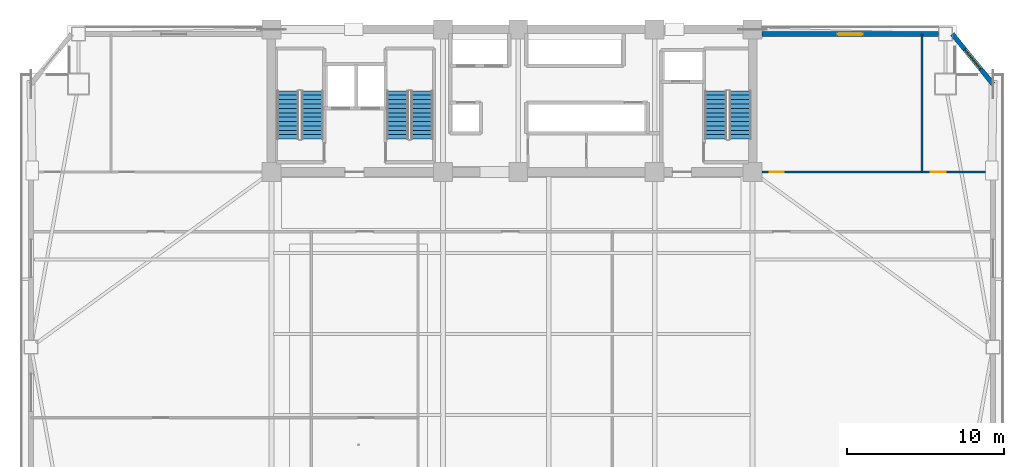
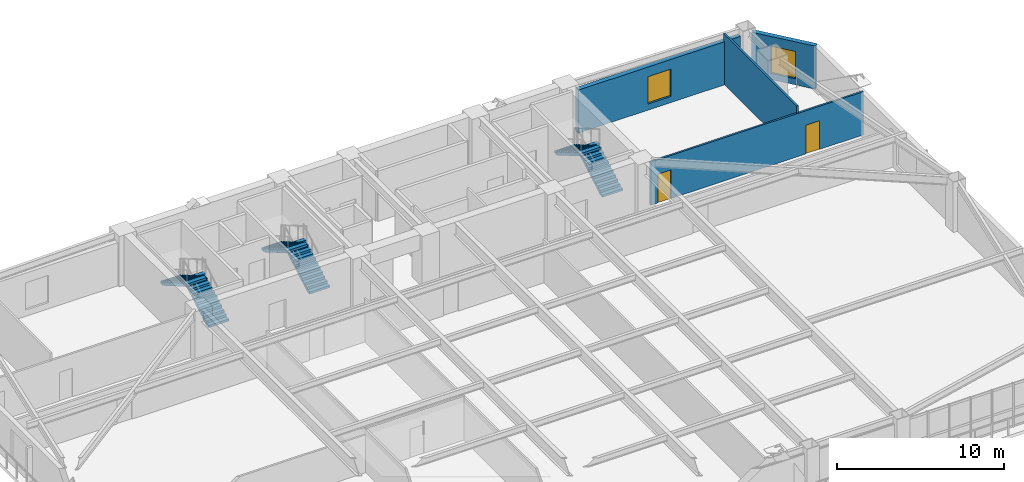
# One storey, part 10 of 15: 6 stair flights, 4 walls, 2 doors, 2 windows, 4 openings, 3 elements without a shape of their own.
"""IFC4 building model written with IfcOpenShell, lengths in metres."""

from ifc_helpers import new_model, si_unit, direction, frame, frame_2d, origin, place, context, subcontext, project, spatial, polyline, rectangle, outline, extrude, source, transform, mapped, material, layer, layer_set, type_object, element, fill, aggregate, save


model = new_model("IFC4")

# Units and contexts
model_context = context("Model", 3, precision=1e-05, world=origin(), true_north=direction((0.0, 1.0)))
body_context = subcontext(model_context, "Body", "Model", "MODEL_VIEW")
ifc_project = project(units=[si_unit("LENGTHUNIT", "METRE"), si_unit("AREAUNIT", "SQUARE_METRE"), si_unit("VOLUMEUNIT", "CUBIC_METRE"), si_unit("PLANEANGLEUNIT", "RADIAN"), si_unit("MASSUNIT", "GRAM", prefix="KILO")], contexts=[model_context])

# Site, building, storey
site_placement = place(None, origin())
site = spatial("IfcSite", under=ifc_project, at=site_placement, CompositionType="ELEMENT")
building_placement = place(site_placement, origin())
building = spatial("IfcBuilding", under=site, at=building_placement, Name="Giltprow Tower", CompositionType="ELEMENT")
storey_placement = place(building_placement, frame((0.0, 0.0, 99.699951171875)))
storey = spatial("IfcBuildingStorey", under=building, at=storey_placement, Name="L24", CompositionType="ELEMENT", Elevation=99.699951171875)

# Wall, opening, window
ifc_material_1 = material(Name="Precast concrete C40", Category="concrete")
ifc_layer_1 = layer(ifc_material_1, 0.300048828125, Name="Precast concrete C40")
ifc_layer_set_1 = layer_set([ifc_layer_1], Name="Precast concrete C40")
wall_type_1 = type_object("IfcWallType", Name="EW-NOTCH-CHAMFER-300", PredefinedType="SOLIDWALL", material=ifc_layer_set_1)
wall_1_placement = place(storey_placement, frame((65.89111328125, 43.055908203125, 0.0), z_axis=(0.0, 0.0, 1.0), x_axis=(-0.630273101398, 0.776373503962, 0.0)))
wall_1 = element("IfcWall", 1, at=wall_1_placement, inside=storey, type_object=wall_type_1, Name="L24 Corner Notch Wall NE", PredefinedType="SOLIDWALL", context=body_context, shape_type="SweptSolid", body=[
    extrude(rectangle(XDim=4.114013671875, YDim=0.300048828125, at=frame_2d((2.05712890625, 0.0))), origin(), (0.0, 0.0, 1.0), 3.16015625),
])
opening_1_placement = place(wall_1_placement, frame((1.257080078125, 0.0, 0.449951171875)))
opening_1 = element("IfcOpeningElement", 2, at=opening_1_placement, cuts=wall_1, Name="Opening WN17", PredefinedType="OPENING", context=body_context, shape_type="SweptSolid", body=[
    extrude(rectangle(XDim=1.60009765625, YDim=2.0, at=frame_2d((0.800048828125, 1.0))), frame((0.0, 0.159912109375, 0.0), z_axis=(0.0, -1.0, 0.0), x_axis=(1.0, 0.0, 0.0)), (0.0, 0.0, 1.0), 0.320068359375),
])
ifc_material_2 = material(Name="Insulated glass", Category="glass")
window_type = type_object("IfcWindowType", Name="WN-COR-1600x2000", PartitioningType="SINGLE_PANEL", PredefinedType="WINDOW", material=ifc_material_2)
shared_shape_1 = source(origin(), body_context, "Body", "SweptSolid", [
    extrude(rectangle(XDim=1.60009765625, YDim=2.0, at=frame_2d((0.800048828125, 1.0))), frame((0.0, 0.030029296875, 0.0), z_axis=(0.0, -1.0, 0.0), x_axis=(1.0, 0.0, 0.0)), (0.0, 0.0, 1.0), 0.06005859375),
])
window_1_placement = place(opening_1_placement, origin())
window_1 = element("IfcWindow", 3, at=window_1_placement, inside=storey, type_object=window_type, Name="L24 Corner Notch Window NE", OverallHeight=2.0, OverallWidth=1.60009765625, PartitioningType="SINGLE_PANEL", PredefinedType="WINDOW", context=body_context, shape_type="MappedRepresentation", body=[
    mapped(shared_shape_1, transform((0.0, 0.0, 0.0), x_axis=(1.0, 0.0, 0.0), y_axis=(0.0, 1.0, 0.0), z_axis=(0.0, 0.0, 1.0), scale=1.0)),
])
fill(opening_1, window_1)

ifc_layer_2 = layer(ifc_material_1, 0.320068359375, Name="Precast concrete C40")
ifc_layer_set_2 = layer_set([ifc_layer_2], Name="Precast concrete C40")
wall_type_2 = type_object("IfcWallType", Name="EW-TOW-STONE-320", PredefinedType="SOLIDWALL", material=ifc_layer_set_2)
wall_2_placement = place(storey_placement, frame((51.14990234375, 46.25, 0.0), z_axis=(0.0, 0.0, 1.0), x_axis=(1.0, 0.0, 0.0)))
wall_2 = element("IfcWall", 4, at=wall_2_placement, inside=storey, type_object=wall_type_2, Name="L24 North-East Wing Wall", PredefinedType="SOLIDWALL", context=body_context, shape_type="SweptSolid", body=[
    extrude(rectangle(XDim=11.248046875, YDim=0.320068359375, at=frame_2d((5.6240234375, 0.0))), origin(), (0.0, 0.0, 1.0), 3.16015625),
])
opening_2_placement = place(wall_2_placement, frame((4.823974609375, 0.0, 0.449951171875)))
opening_2 = element("IfcOpeningElement", 5, at=opening_2_placement, cuts=wall_2, Name="Opening WN17", PredefinedType="OPENING", context=body_context, shape_type="SweptSolid", body=[
    extrude(rectangle(XDim=1.60009765625, YDim=2.0, at=frame_2d((0.800048828125, 1.0))), frame((0.0, 0.169921875, 0.0), z_axis=(0.0, -1.0, 0.0), x_axis=(1.0, 0.0, 0.0)), (0.0, 0.0, 1.0), 0.340087890625),
])
window_2_placement = place(opening_2_placement, origin())
window_2 = element("IfcWindow", 6, at=window_2_placement, inside=storey, type_object=window_type, Name="L24 North-East Window", OverallHeight=2.0, OverallWidth=1.60009765625, PartitioningType="SINGLE_PANEL", PredefinedType="WINDOW", context=body_context, shape_type="MappedRepresentation", body=[
    mapped(shared_shape_1, transform((0.0, 0.0, 0.0), x_axis=(1.0, 0.0, 0.0), y_axis=(0.0, 1.0, 0.0), z_axis=(0.0, 0.0, 1.0), scale=1.0)),
])
fill(opening_2, window_2)

# Wall, openings, doors
ifc_material_3 = material(Name="Concrete C30", Category="concrete")
ifc_layer_3 = layer(ifc_material_3, 0.1298828125, Name="Concrete C30")
ifc_layer_set_3 = layer_set([ifc_layer_3], Name="Concrete C30")
wall_type_3 = type_object("IfcWallType", Name="IW-WET-130", PredefinedType="PARTITIONING", material=ifc_layer_set_3)
wall_3_placement = place(storey_placement, frame((51.14990234375, 37.449951171875, 0.0), z_axis=(0.0, 0.0, 1.0), x_axis=(1.0, 0.0, 0.0)))
wall_3 = element("IfcWall", 7, at=wall_3_placement, inside=storey, type_object=wall_type_3, Name="L24 NE Wing South Wall", PredefinedType="PARTITIONING", context=body_context, shape_type="SweptSolid", body=[
    extrude(rectangle(XDim=14.7412109375, YDim=0.1298828125, at=frame_2d((7.37060546875, 0.0))), origin(), (0.0, 0.0, 1.0), 3.1650390625),
])
opening_3_placement = place(wall_3_placement, frame((0.5, 0.0, 0.0)))
opening_3 = element("IfcOpeningElement", 8, at=opening_3_placement, cuts=wall_3, Name="Opening ID15", PredefinedType="OPENING", context=body_context, shape_type="SweptSolid", body=[
    extrude(rectangle(XDim=0.89990234375, YDim=2.10009765625, at=frame_2d((0.449951171875, 1.050048828125))), frame((0.0, 0.074951171875, 0.0), z_axis=(0.0, -1.0, 0.0), x_axis=(1.0, 0.0, 0.0)), (0.0, 0.0, 1.0), 0.14990234375),
])
opening_4_placement = place(wall_3_placement, frame((10.759033203125, 0.0, 0.0)))
opening_4 = element("IfcOpeningElement", 9, at=opening_4_placement, cuts=wall_3, Name="Opening ID11", PredefinedType="OPENING", context=body_context, shape_type="SweptSolid", body=[
    extrude(rectangle(XDim=0.949951171875, YDim=2.10009765625, at=frame_2d((0.47509765625, 1.050048828125))), frame((0.0, 0.074951171875, 0.0), z_axis=(0.0, -1.0, 0.0), x_axis=(1.0, 0.0, 0.0)), (0.0, 0.0, 1.0), 0.14990234375),
])
ifc_material_4 = material(Name="Engineered timber", Category="wood")
door_type_1 = type_object("IfcDoorType", Name="DR-WC-900", OperationType="SINGLE_SWING_LEFT", PredefinedType="DOOR", material=ifc_material_4)
shared_shape_2 = source(origin(), body_context, "Body", "SweptSolid", [
    extrude(rectangle(XDim=0.89990234375, YDim=2.10009765625, at=frame_2d((0.449951171875, 1.050048828125))), frame((0.0, 0.02490234375, 0.0), z_axis=(0.0, -1.0, 0.0), x_axis=(1.0, 0.0, 0.0)), (0.0, 0.0, 1.0), 0.050048828125),
])
door_1_placement = place(opening_3_placement, origin())
door_1 = element("IfcDoor", 10, at=door_1_placement, inside=storey, type_object=door_type_1, Name="L24 East Wing Washroom Door", OperationType="SINGLE_SWING_RIGHT", OverallHeight=2.10009765625, OverallWidth=0.89990234375, PredefinedType="DOOR", context=body_context, shape_type="MappedRepresentation", body=[
    mapped(shared_shape_2, transform((0.0, 0.0, 0.0), x_axis=(1.0, 0.0, 0.0), y_axis=(0.0, 1.0, 0.0), z_axis=(0.0, 0.0, 1.0), scale=1.0)),
])
fill(opening_3, door_1)
door_type_2 = type_object("IfcDoorType", Name="DR-ROOM-950", OperationType="SINGLE_SWING_RIGHT", PredefinedType="DOOR", material=ifc_material_4)
shared_shape_3 = source(origin(), body_context, "Body", "SweptSolid", [
    extrude(rectangle(XDim=0.949951171875, YDim=2.10009765625, at=frame_2d((0.47509765625, 1.050048828125))), frame((0.0, 0.02490234375, 0.0), z_axis=(0.0, -1.0, 0.0), x_axis=(1.0, 0.0, 0.0)), (0.0, 0.0, 1.0), 0.050048828125),
])
door_2_placement = place(opening_4_placement, origin())
door_2 = element("IfcDoor", 11, at=door_2_placement, inside=storey, type_object=door_type_2, Name="L24 East Tenant Archive Store Door", OperationType="SINGLE_SWING_LEFT", OverallHeight=2.10009765625, OverallWidth=0.949951171875, PredefinedType="DOOR", context=body_context, shape_type="MappedRepresentation", body=[
    mapped(shared_shape_3, transform((0.0, 0.0, 0.0), x_axis=(1.0, 0.0, 0.0), y_axis=(0.0, 1.0, 0.0), z_axis=(0.0, 0.0, 1.0), scale=1.0)),
])
fill(opening_4, door_2)

# Wall
wall_4_placement = place(storey_placement, frame((61.35888671875, 37.449951171875, 0.0), z_axis=(0.0, 0.0, 1.0), x_axis=(0.0, 1.0, 0.0)))
element("IfcWall", 12, at=wall_4_placement, inside=storey, type_object=wall_type_3, Name="L24 NE Wing Divider", PredefinedType="PARTITIONING", context=body_context, shape_type="SweptSolid", body=[
    extrude(rectangle(XDim=8.800048828125, YDim=0.1298828125, at=frame_2d((4.39990234375, 0.0))), origin(), (0.0, 0.0, 1.0), 3.679931640625),
])

# Stair, stair flights
ifc_material_5 = material(Name="Concrete C40", Category="concrete")
stair_type_1 = type_object("IfcStairType", Name="STR-ST-1", PredefinedType="HALF_TURN_STAIR", material=ifc_material_5)
stair_1_placement = place(storey_placement, origin())
stair_1 = element("IfcStair", 13, at=stair_1_placement, inside=storey, type_object=stair_type_1, Name="L24 Core Exit Stair ST-1", PredefinedType="HALF_TURN_STAIR")
stair_flight_type_1 = type_object("IfcStairFlightType", Name="SFL-ST-1", PredefinedType="STRAIGHT", material=ifc_material_5)
stair_flight_1_placement = place(storey_placement, frame((22.4599609375, 39.550048828125, 0.0), z_axis=(0.0, 0.0, 1.0), x_axis=(0.0, 1.0, 0.0)))
stair_flight_1 = element("IfcStairFlight", 14, at=stair_flight_1_placement, type_object=stair_flight_type_1, Name="ST-1 flight 1", NumberOfRisers=12, NumberOfTreads=11, PredefinedType="STRAIGHT", RiserHeight=0.1625, TreadLength=0.28, context=body_context, shape_type="SweptSolid", body=[
    extrude(outline(polyline([(0.0, 0.0), (0.0, 0.16259765625), (0.280029296875, 0.16259765625), (0.280029296875, 0.324951171875), (0.56005859375, 0.324951171875), (0.56005859375, 0.487548828125), (0.840087890625, 0.487548828125), (0.840087890625, 0.64990234375), (1.1201171875, 0.64990234375), (1.1201171875, 0.8125), (1.39990234375, 0.8125), (1.39990234375, 0.97509765625), (1.679931640625, 0.97509765625), (1.679931640625, 1.137451171875), (1.9599609375, 1.137451171875), (1.9599609375, 1.300048828125), (2.239990234375, 1.300048828125), (2.239990234375, 1.46240234375), (2.52001953125, 1.46240234375), (2.52001953125, 1.625), (2.800048828125, 1.625), (2.800048828125, 1.78759765625), (3.080078125, 1.78759765625), (3.080078125, 1.949951171875), (3.080078125, 1.6142578125), (0.298583984375, 0.0), (0.0, 0.0)])), frame((0.0, 0.699951171875, 0.0), z_axis=(0.0, -1.0, 0.0), x_axis=(1.0, 0.0, 0.0)), (0.0, 0.0, 1.0), 1.39990234375),
])
stair_flight_2_placement = place(storey_placement, frame((20.89990234375, 42.6298828125, 1.949951171875), z_axis=(0.0, 0.0, 1.0), x_axis=(0.0, -1.0, 0.0)))
stair_flight_2 = element("IfcStairFlight", 15, at=stair_flight_2_placement, type_object=stair_flight_type_1, Name="ST-1 flight 2", NumberOfRisers=12, NumberOfTreads=11, PredefinedType="STRAIGHT", RiserHeight=0.1625, TreadLength=0.28, context=body_context, shape_type="SweptSolid", body=[
    extrude(outline(polyline([(0.0, 0.0), (0.0, 0.16259765625), (0.280029296875, 0.16259765625), (0.280029296875, 0.324951171875), (0.56005859375, 0.324951171875), (0.56005859375, 0.487548828125), (0.840087890625, 0.487548828125), (0.840087890625, 0.64990234375), (1.1201171875, 0.64990234375), (1.1201171875, 0.8125), (1.39990234375, 0.8125), (1.39990234375, 0.97509765625), (1.679931640625, 0.97509765625), (1.679931640625, 1.137451171875), (1.9599609375, 1.137451171875), (1.9599609375, 1.300048828125), (2.239990234375, 1.300048828125), (2.239990234375, 1.46240234375), (2.52001953125, 1.46240234375), (2.52001953125, 1.625), (2.800048828125, 1.625), (2.800048828125, 1.78759765625), (3.080078125, 1.78759765625), (3.080078125, 1.949951171875), (3.080078125, 1.6142578125), (0.298583984375, 0.0), (0.0, 0.0)])), frame((0.0, 0.699951171875, 0.0), z_axis=(0.0, -1.0, 0.0), x_axis=(1.0, 0.0, 0.0)), (0.0, 0.0, 1.0), 1.39990234375),
])
aggregate(stair_1, [stair_flight_1, stair_flight_2])

stair_type_2 = type_object("IfcStairType", Name="STR-ST-2", PredefinedType="HALF_TURN_STAIR", material=ifc_material_5)
stair_2_placement = place(storey_placement, origin())
stair_2 = element("IfcStair", 16, at=stair_2_placement, inside=storey, type_object=stair_type_2, Name="L24 Core Exit Stair ST-2", PredefinedType="HALF_TURN_STAIR")
stair_flight_type_2 = type_object("IfcStairFlightType", Name="SFL-ST-2", PredefinedType="STRAIGHT", material=ifc_material_5)
stair_flight_3_placement = place(storey_placement, frame((29.4599609375, 39.550048828125, 0.0), z_axis=(0.0, 0.0, 1.0), x_axis=(0.0, 1.0, 0.0)))
stair_flight_3 = element("IfcStairFlight", 17, at=stair_flight_3_placement, type_object=stair_flight_type_2, Name="ST-2 flight 1", NumberOfRisers=12, NumberOfTreads=11, PredefinedType="STRAIGHT", RiserHeight=0.1625, TreadLength=0.28, context=body_context, shape_type="SweptSolid", body=[
    extrude(outline(polyline([(0.0, 0.0), (0.0, 0.16259765625), (0.280029296875, 0.16259765625), (0.280029296875, 0.324951171875), (0.56005859375, 0.324951171875), (0.56005859375, 0.487548828125), (0.840087890625, 0.487548828125), (0.840087890625, 0.64990234375), (1.1201171875, 0.64990234375), (1.1201171875, 0.8125), (1.39990234375, 0.8125), (1.39990234375, 0.97509765625), (1.679931640625, 0.97509765625), (1.679931640625, 1.137451171875), (1.9599609375, 1.137451171875), (1.9599609375, 1.300048828125), (2.239990234375, 1.300048828125), (2.239990234375, 1.46240234375), (2.52001953125, 1.46240234375), (2.52001953125, 1.625), (2.800048828125, 1.625), (2.800048828125, 1.78759765625), (3.080078125, 1.78759765625), (3.080078125, 1.949951171875), (3.080078125, 1.6142578125), (0.298583984375, 0.0), (0.0, 0.0)])), frame((0.0, 0.699951171875, 0.0), z_axis=(0.0, -1.0, 0.0), x_axis=(1.0, 0.0, 0.0)), (0.0, 0.0, 1.0), 1.39990234375),
])
stair_flight_4_placement = place(storey_placement, frame((27.89990234375, 42.6298828125, 1.949951171875), z_axis=(0.0, 0.0, 1.0), x_axis=(0.0, -1.0, 0.0)))
stair_flight_4 = element("IfcStairFlight", 18, at=stair_flight_4_placement, type_object=stair_flight_type_2, Name="ST-2 flight 2", NumberOfRisers=12, NumberOfTreads=11, PredefinedType="STRAIGHT", RiserHeight=0.1625, TreadLength=0.28, context=body_context, shape_type="SweptSolid", body=[
    extrude(outline(polyline([(0.0, 0.0), (0.0, 0.16259765625), (0.280029296875, 0.16259765625), (0.280029296875, 0.324951171875), (0.56005859375, 0.324951171875), (0.56005859375, 0.487548828125), (0.840087890625, 0.487548828125), (0.840087890625, 0.64990234375), (1.1201171875, 0.64990234375), (1.1201171875, 0.8125), (1.39990234375, 0.8125), (1.39990234375, 0.97509765625), (1.679931640625, 0.97509765625), (1.679931640625, 1.137451171875), (1.9599609375, 1.137451171875), (1.9599609375, 1.300048828125), (2.239990234375, 1.300048828125), (2.239990234375, 1.46240234375), (2.52001953125, 1.46240234375), (2.52001953125, 1.625), (2.800048828125, 1.625), (2.800048828125, 1.78759765625), (3.080078125, 1.78759765625), (3.080078125, 1.949951171875), (3.080078125, 1.6142578125), (0.298583984375, 0.0), (0.0, 0.0)])), frame((0.0, 0.699951171875, 0.0), z_axis=(0.0, -1.0, 0.0), x_axis=(1.0, 0.0, 0.0)), (0.0, 0.0, 1.0), 1.39990234375),
])
aggregate(stair_2, [stair_flight_3, stair_flight_4])

stair_type_3 = type_object("IfcStairType", Name="STR-ST-3", PredefinedType="HALF_TURN_STAIR", material=ifc_material_5)
stair_3_placement = place(storey_placement, origin())
stair_3 = element("IfcStair", 19, at=stair_3_placement, inside=storey, type_object=stair_type_3, Name="L24 Core Exit Stair ST-3", PredefinedType="HALF_TURN_STAIR")
stair_flight_type_3 = type_object("IfcStairFlightType", Name="SFL-ST-3", PredefinedType="STRAIGHT", material=ifc_material_5)
stair_flight_5_placement = place(storey_placement, frame((49.760009765625, 39.550048828125, 0.0), z_axis=(0.0, 0.0, 1.0), x_axis=(0.0, 1.0, 0.0)))
stair_flight_5 = element("IfcStairFlight", 20, at=stair_flight_5_placement, type_object=stair_flight_type_3, Name="ST-3 flight 1", NumberOfRisers=12, NumberOfTreads=11, PredefinedType="STRAIGHT", RiserHeight=0.1625, TreadLength=0.28, context=body_context, shape_type="SweptSolid", body=[
    extrude(outline(polyline([(0.0, 0.0), (0.0, 0.16259765625), (0.280029296875, 0.16259765625), (0.280029296875, 0.324951171875), (0.56005859375, 0.324951171875), (0.56005859375, 0.487548828125), (0.840087890625, 0.487548828125), (0.840087890625, 0.64990234375), (1.1201171875, 0.64990234375), (1.1201171875, 0.8125), (1.39990234375, 0.8125), (1.39990234375, 0.97509765625), (1.679931640625, 0.97509765625), (1.679931640625, 1.137451171875), (1.9599609375, 1.137451171875), (1.9599609375, 1.300048828125), (2.239990234375, 1.300048828125), (2.239990234375, 1.46240234375), (2.52001953125, 1.46240234375), (2.52001953125, 1.625), (2.800048828125, 1.625), (2.800048828125, 1.78759765625), (3.080078125, 1.78759765625), (3.080078125, 1.949951171875), (3.080078125, 1.6142578125), (0.298583984375, 0.0), (0.0, 0.0)])), frame((0.0, 0.699951171875, 0.0), z_axis=(0.0, -1.0, 0.0), x_axis=(1.0, 0.0, 0.0)), (0.0, 0.0, 1.0), 1.39990234375),
])
stair_flight_6_placement = place(storey_placement, frame((48.199951171875, 42.6298828125, 1.949951171875), z_axis=(0.0, 0.0, 1.0), x_axis=(0.0, -1.0, 0.0)))
stair_flight_6 = element("IfcStairFlight", 21, at=stair_flight_6_placement, type_object=stair_flight_type_3, Name="ST-3 flight 2", NumberOfRisers=12, NumberOfTreads=11, PredefinedType="STRAIGHT", RiserHeight=0.1625, TreadLength=0.28, context=body_context, shape_type="SweptSolid", body=[
    extrude(outline(polyline([(0.0, 0.0), (0.0, 0.16259765625), (0.280029296875, 0.16259765625), (0.280029296875, 0.324951171875), (0.56005859375, 0.324951171875), (0.56005859375, 0.487548828125), (0.840087890625, 0.487548828125), (0.840087890625, 0.64990234375), (1.1201171875, 0.64990234375), (1.1201171875, 0.8125), (1.39990234375, 0.8125), (1.39990234375, 0.97509765625), (1.679931640625, 0.97509765625), (1.679931640625, 1.137451171875), (1.9599609375, 1.137451171875), (1.9599609375, 1.300048828125), (2.239990234375, 1.300048828125), (2.239990234375, 1.46240234375), (2.52001953125, 1.46240234375), (2.52001953125, 1.625), (2.800048828125, 1.625), (2.800048828125, 1.78759765625), (3.080078125, 1.78759765625), (3.080078125, 1.949951171875), (3.080078125, 1.6142578125), (0.298583984375, 0.0), (0.0, 0.0)])), frame((0.0, 0.699951171875, 0.0), z_axis=(0.0, -1.0, 0.0), x_axis=(1.0, 0.0, 0.0)), (0.0, 0.0, 1.0), 1.39990234375),
])
aggregate(stair_3, [stair_flight_5, stair_flight_6])

save(model, "model.ifc")
